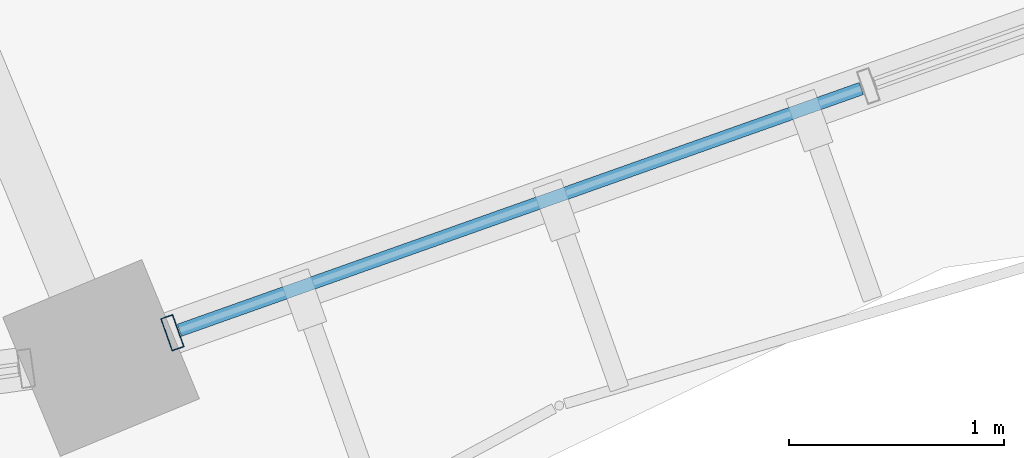
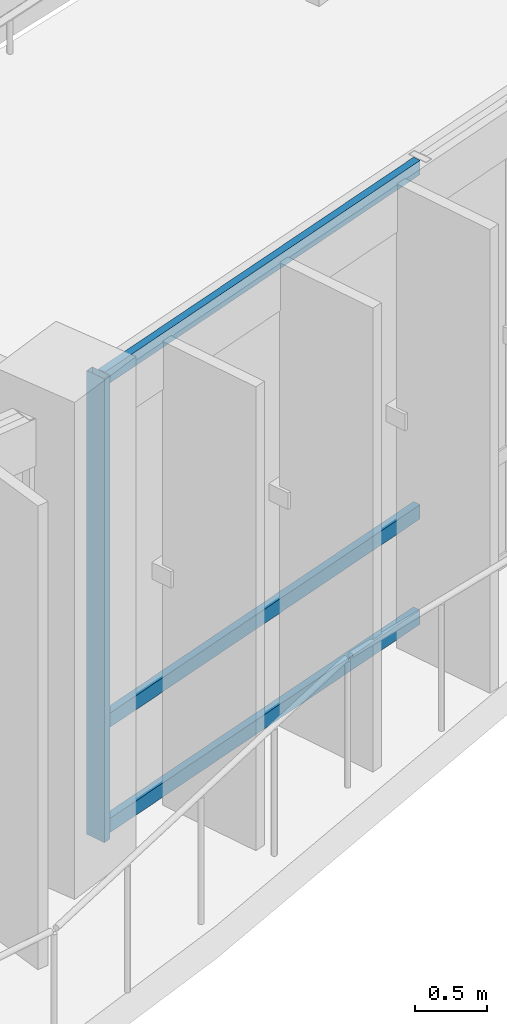
# One storey, part 31 of 138: 4 members, 1 element without a shape of its own.
"""IFC4 building model written with IfcOpenShell, lengths in metres."""

from ifc_helpers import new_model, si_unit, direction, frame, origin, origin_2d, place, context, subcontext, project, spatial, hollow_rectangle, extrude, material, material_profile, profile_set, type_object, element, aggregate, save


model = new_model("IFC4")

# Units and contexts
model_context = context("Model", 3, precision=1e-05, world=origin(), true_north=direction((0.0, 1.0)))
body_context = subcontext(model_context, "Body", "Model", "MODEL_VIEW")
ifc_project = project(units=[si_unit("LENGTHUNIT", "METRE"), si_unit("AREAUNIT", "SQUARE_METRE"), si_unit("VOLUMEUNIT", "CUBIC_METRE"), si_unit("PLANEANGLEUNIT", "RADIAN"), si_unit("MASSUNIT", "GRAM", prefix="KILO"), si_unit("THERMODYNAMICTEMPERATUREUNIT", "KELVIN"), si_unit("POWERUNIT", "WATT")], contexts=[model_context])

# Site, building, storey
site_placement = place(None, origin())
site = spatial("IfcSite", under=ifc_project, at=site_placement, CompositionType="ELEMENT")
building_placement = place(site_placement, origin())
building = spatial("IfcBuilding", under=site, at=building_placement, Name="Darbajah Civic Hall", CompositionType="ELEMENT")
storey_placement = place(building_placement, frame((0.0, 0.0, 9.60009765625)))
storey = spatial("IfcBuildingStorey", under=building, at=storey_placement, Name="L02", CompositionType="ELEMENT", Elevation=9.60009765625)

# Curtain wall, members
ifc_material_1 = material(Name="Anodised Bronze Aluminium and Low-E Glazing", Category="aluminium")
curtain_wall_type = type_object("IfcCurtainWallType", Name="Unitised Curtain Wall CW-33 13700x3900", PredefinedType="USERDEFINED", material=ifc_material_1)
curtain_wall_placement = place(storey_placement, origin())
curtain_wall = element("IfcCurtainWall", 1, at=curtain_wall_placement, inside=storey, type_object=curtain_wall_type, Name="L02 unitised curtain wall CW-V1O-L02-16", ObjectType="UNITISED CURTAIN WALL", PredefinedType="USERDEFINED")
ifc_material_2 = material(Name="Anodised Bronze Aluminium", Category="aluminium")
ifc_material_profile_1 = material_profile(ifc_material_2, hollow_rectangle(XDim=0.06005859375, YDim=0.159912109375, WallThickness=0.00341796875, at=origin_2d()), Name="ALU MULLION 60x160")
ifc_profile_set_1 = profile_set([ifc_material_profile_1], Name="Anodised Bronze Aluminium")
member_type_1 = type_object("IfcMemberType", Name="ALU MULLION 60x160", PredefinedType="MULLION", material=ifc_profile_set_1)
member_1_placement = place(storey_placement, frame((108.94873046875, 62.6630859375, 0.0), z_axis=(0.0, 0.0, 1.0), x_axis=(0.94252491309, 0.334135882844, 0.0)))
member_1 = element("IfcMember", 2, at=member_1_placement, type_object=member_type_1, Name="CW-V1O-L02-16 mullion 1", PredefinedType="MULLION", context=body_context, shape_type="SweptSolid", body=[
    extrude(hollow_rectangle(XDim=0.06005859375, YDim=0.159912109375, WallThickness=0.00341796875, at=origin_2d()), origin(), (0.0, 0.0, 1.0), 3.919921875),
])
ifc_material_profile_2 = material_profile(ifc_material_2, hollow_rectangle(XDim=0.06005859375, YDim=0.1201171875, WallThickness=0.003173828125, at=origin_2d()), Name="ALU TRANSOM 60x120")
ifc_profile_set_2 = profile_set([ifc_material_profile_2], Name="Anodised Bronze Aluminium")
member_type_2 = type_object("IfcMemberType", Name="ALU TRANSOM 60x120", PredefinedType="USERDEFINED", material=ifc_profile_set_2)
member_2_placement = place(storey_placement, frame((108.981689453125, 62.6748046875, 0.059814453125), z_axis=(0.942531035504, 0.334118612339, 0.0), x_axis=(-0.334118612339, 0.942531035504, 0.0)))
member_2 = element("IfcMember", 3, at=member_2_placement, type_object=member_type_2, Name="CW-V1O-L02-16 transom 1.1", ObjectType="TRANSOM", PredefinedType="USERDEFINED", context=body_context, shape_type="SweptSolid", body=[
    extrude(hollow_rectangle(XDim=0.06005859375, YDim=0.1201171875, WallThickness=0.003173828125, at=origin_2d()), origin(), (0.0, 0.0, 1.0), 3.36279296875),
])
member_3_placement = place(storey_placement, frame((108.981689453125, 62.6748046875, 0.949951171875), z_axis=(0.942531035504, 0.334118612339, 0.0), x_axis=(-0.334118612339, 0.942531035504, 0.0)))
member_3 = element("IfcMember", 4, at=member_3_placement, type_object=member_type_2, Name="CW-V1O-L02-16 transom 1.2", ObjectType="TRANSOM", PredefinedType="USERDEFINED", context=body_context, shape_type="SweptSolid", body=[
    extrude(hollow_rectangle(XDim=0.06005859375, YDim=0.1201171875, WallThickness=0.003173828125, at=origin_2d()), origin(), (0.0, 0.0, 1.0), 3.36279296875),
])
member_4_placement = place(storey_placement, frame((108.981689453125, 62.6748046875, 3.85986328125), z_axis=(0.942531035504, 0.334118612339, 0.0), x_axis=(-0.334118612339, 0.942531035504, 0.0)))
member_4 = element("IfcMember", 5, at=member_4_placement, type_object=member_type_2, Name="CW-V1O-L02-16 transom 1.3", ObjectType="TRANSOM", PredefinedType="USERDEFINED", context=body_context, shape_type="SweptSolid", body=[
    extrude(hollow_rectangle(XDim=0.06005859375, YDim=0.1201171875, WallThickness=0.003173828125, at=origin_2d()), origin(), (0.0, 0.0, 1.0), 3.36279296875),
])
aggregate(curtain_wall, [member_1, member_2, member_3, member_4])

save(model, "model.ifc")
